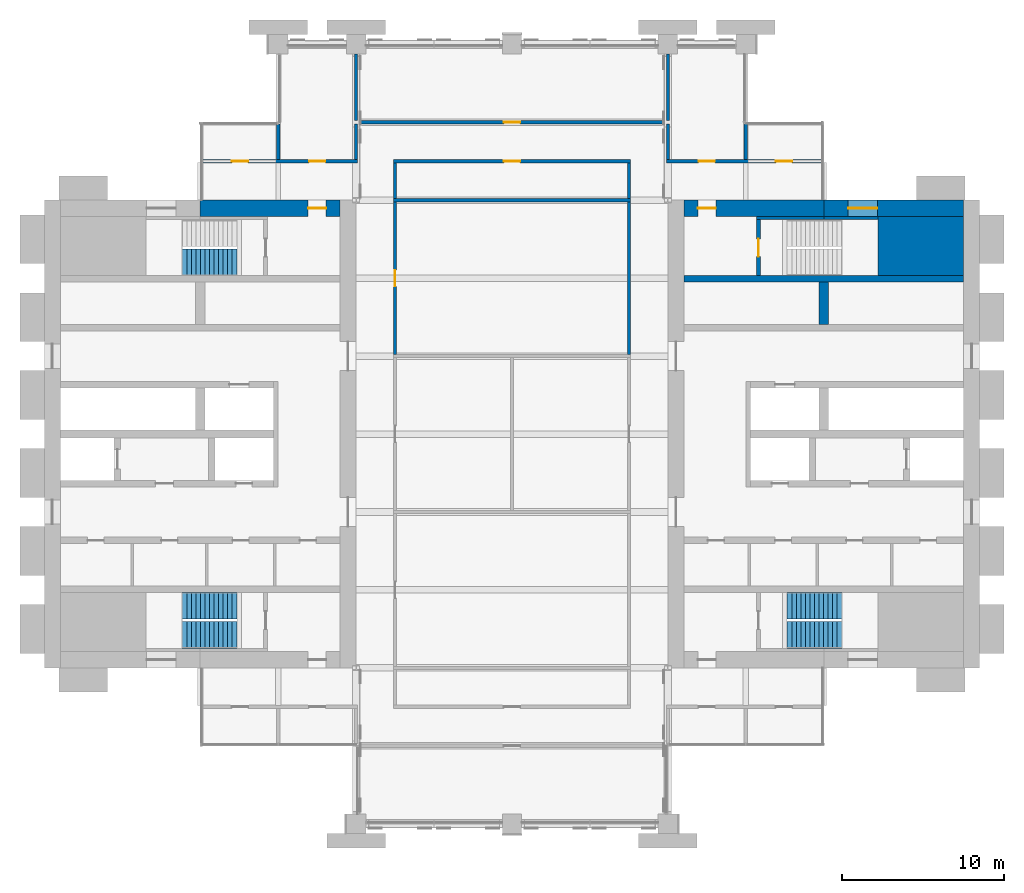
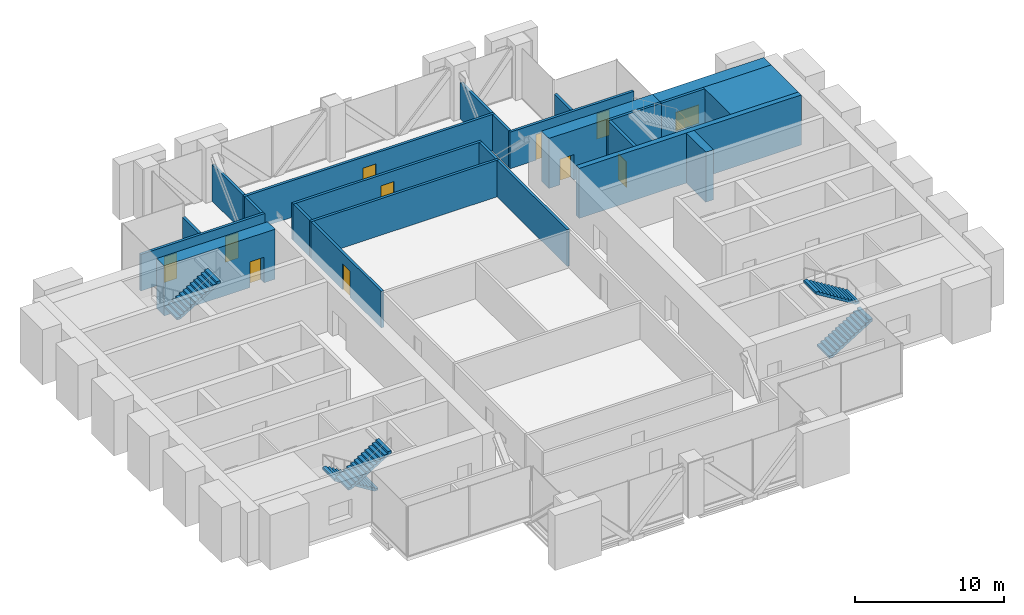
# One storey, part 12 of 14: 24 walls, 10 doors, 5 stair flights, 1 window, 11 openings, 3 elements without a shape of their own.
"""IFC4 building model written with IfcOpenShell, lengths in metres."""

from ifc_helpers import new_model, si_unit, direction, frame, frame_2d, origin, place, context, subcontext, project, spatial, polyline, rectangle, outline, extrude, material, layer, layer_set, type_object, element, fill, aggregate, save


model = new_model("IFC4")

# Units and contexts
model_context = context("Model", 3, precision=1e-05, world=origin(), true_north=direction((0.0, 1.0)))
body_context = subcontext(model_context, "Body", "Model", "MODEL_VIEW")
ifc_project = project(units=[si_unit("LENGTHUNIT", "METRE"), si_unit("AREAUNIT", "SQUARE_METRE"), si_unit("VOLUMEUNIT", "CUBIC_METRE"), si_unit("PLANEANGLEUNIT", "RADIAN"), si_unit("MASSUNIT", "GRAM", prefix="KILO")], contexts=[model_context])

# Site, building, storey
site_placement = place(None, origin())
site = spatial("IfcSite", under=ifc_project, at=site_placement, CompositionType="ELEMENT")
building_placement = place(site_placement, origin())
building = spatial("IfcBuilding", under=site, at=building_placement, Name="Baori Bourse Tower", CompositionType="ELEMENT")
storey_placement = place(building_placement, frame((0.0, 0.0, 176.10009765625)))
storey = spatial("IfcBuildingStorey", under=building, at=storey_placement, Name="L39", CompositionType="ELEMENT", Elevation=176.10009765625)

# Wall
ifc_material_1 = material(Name="Concrete f'c 60 MPa", Category="concrete")
wall_type_1 = type_object("IfcWallType", Name="Core corner block f'c 60", PredefinedType="SHEAR", material=ifc_material_1)
wall_1_placement = place(storey_placement, frame((51.35009765625, 35.574951171875, 0.0), z_axis=(0.0, 0.0, 1.0), x_axis=(1.0, 0.0, 0.0)))
element("IfcWall", 1, at=wall_1_placement, inside=storey, type_object=wall_type_1, Name="Core wall E24", PredefinedType="SHEAR", context=body_context, shape_type="SweptSolid", body=[
    extrude(rectangle(XDim=5.25, YDim=3.64990234375, at=frame_2d((2.625, 0.0))), origin(), (0.0, 0.0, 1.0), 4.099853515625),
])

# Wall, opening, door
ifc_material_2 = material(Name="Concrete f'c 60 MPa", Category="concrete")
ifc_layer_1 = layer(ifc_material_2, 1.0)
ifc_layer_set_1 = layer_set([ifc_layer_1], Name="Core wall 1000 f'c 60")
wall_type_2 = type_object("IfcWallType", Name="Core wall 1000 f'c 60", PredefinedType="SHEAR", material=ifc_layer_set_1)
wall_2_placement = place(storey_placement, frame((9.60009765625, 37.89990234375, 0.0), z_axis=(0.0, 0.0, 1.0), x_axis=(1.0, 0.0, 0.0)))
wall_2 = element("IfcWall", 2, at=wall_2_placement, inside=storey, type_object=wall_type_2, Name="Core wall W29", PredefinedType="SHEAR", context=body_context, shape_type="SweptSolid", body=[
    extrude(rectangle(XDim=8.599853515625, YDim=1.0, at=frame_2d((4.2998046875, 0.0))), origin(), (0.0, 0.0, 1.0), 4.099853515625),
])
opening_1_placement = place(wall_2_placement, frame((6.64990234375, 0.0, 0.0)))
opening_1 = element("IfcOpeningElement", 3, at=opening_1_placement, cuts=wall_2, Name="Opening L39-D104", PredefinedType="OPENING", context=body_context, shape_type="SweptSolid", body=[
    extrude(rectangle(XDim=1.10009765625, YDim=2.10009765625, at=frame_2d((0.550048828125, 1.050048828125))), frame((0.0, 0.510009765625, 0.0), z_axis=(0.0, -1.0, 0.0), x_axis=(1.0, 0.0, 0.0)), (0.0, 0.0, 1.0), 1.02001953125),
])
ifc_material_3 = material(Name="Painted steel door", Category="steel")
door_type_1 = type_object("IfcDoorType", Name="Stair door 1100", OperationType="SINGLE_SWING_LEFT", PredefinedType="DOOR", material=ifc_material_3)
door_1_placement = place(opening_1_placement, origin())
door_1 = element("IfcDoor", 4, at=door_1_placement, inside=storey, type_object=door_type_1, Name="Stair vestibule door B W L39", OperationType="SINGLE_SWING_LEFT", OverallHeight=2.10009765625, OverallWidth=1.10009765625, PredefinedType="DOOR", context=body_context, shape_type="SweptSolid", body=[
    extrude(rectangle(XDim=1.10009765625, YDim=2.10009765625, at=frame_2d((0.550048828125, 1.050048828125))), frame((0.0, 0.02490234375, 0.0), z_axis=(0.0, -1.0, 0.0), x_axis=(1.0, 0.0, 0.0)), (0.0, 0.0, 1.0), 0.050048828125),
])
fill(opening_1, door_1)

# Wall, opening, window
wall_3_placement = place(storey_placement, frame((48.0, 37.89990234375, 0.0), z_axis=(0.0, 0.0, 1.0), x_axis=(1.0, 0.0, 0.0)))
wall_3 = element("IfcWall", 5, at=wall_3_placement, inside=storey, type_object=wall_type_2, Name="Core wall E28", PredefinedType="SHEAR", context=body_context, shape_type="SweptSolid", body=[
    extrude(rectangle(XDim=8.60009765625, YDim=1.0, at=frame_2d((4.300048828125, 0.0))), origin(), (0.0, 0.0, 1.0), 4.099853515625),
])
opening_2_placement = place(wall_3_placement, frame((1.5, 0.0, 0.89990234375)))
opening_2 = element("IfcOpeningElement", 6, at=opening_2_placement, cuts=wall_3, Name="Opening L39-KW204", PredefinedType="OPENING", context=body_context, shape_type="SweptSolid", body=[
    extrude(rectangle(XDim=1.800048828125, YDim=1.5, at=frame_2d((0.89990234375, 0.75))), frame((0.0, 0.510009765625, 0.0), z_axis=(0.0, -1.0, 0.0), x_axis=(1.0, 0.0, 0.0)), (0.0, 0.0, 1.0), 1.02001953125),
])
ifc_material_4 = material(Name="Pale anodised aluminium", Category="aluminium")
window_type = type_object("IfcWindowType", Name="Stair window 1800 x 1500", PartitioningType="SINGLE_PANEL", PredefinedType="WINDOW", material=ifc_material_4)
window_placement = place(opening_2_placement, origin())
window = element("IfcWindow", 7, at=window_placement, inside=storey, type_object=window_type, Name="Stair window E L39 4", OverallHeight=1.5, OverallWidth=1.800048828125, PartitioningType="SINGLE_PANEL", PredefinedType="WINDOW", context=body_context, shape_type="SweptSolid", body=[
    extrude(rectangle(XDim=1.800048828125, YDim=1.5, at=frame_2d((0.89990234375, 0.75))), frame((0.0, 0.030029296875, 0.0), z_axis=(0.0, -1.0, 0.0), x_axis=(1.0, 0.0, 0.0)), (0.0, 0.0, 1.0), 0.06005859375),
])
fill(opening_2, window)

# Wall, opening, door
wall_4_placement = place(storey_placement, frame((39.39990234375, 37.89990234375, 0.0), z_axis=(0.0, 0.0, 1.0), x_axis=(1.0, 0.0, 0.0)))
wall_4 = element("IfcWall", 8, at=wall_4_placement, inside=storey, type_object=wall_type_2, Name="Core wall E29", PredefinedType="SHEAR", context=body_context, shape_type="SweptSolid", body=[
    extrude(rectangle(XDim=8.60009765625, YDim=1.0, at=frame_2d((4.300048828125, 0.0))), origin(), (0.0, 0.0, 1.0), 4.099853515625),
])
opening_3_placement = place(wall_4_placement, frame((0.85009765625, 0.0, 0.0)))
opening_3 = element("IfcOpeningElement", 9, at=opening_3_placement, cuts=wall_4, Name="Opening L39-D204", PredefinedType="OPENING", context=body_context, shape_type="SweptSolid", body=[
    extrude(rectangle(XDim=1.10009765625, YDim=2.10009765625, at=frame_2d((0.550048828125, 1.050048828125))), frame((0.0, 0.510009765625, 0.0), z_axis=(0.0, -1.0, 0.0), x_axis=(1.0, 0.0, 0.0)), (0.0, 0.0, 1.0), 1.02001953125),
])
door_2_placement = place(opening_3_placement, origin())
door_2 = element("IfcDoor", 10, at=door_2_placement, inside=storey, type_object=door_type_1, Name="Stair vestibule door B E L39", OperationType="SINGLE_SWING_LEFT", OverallHeight=2.10009765625, OverallWidth=1.10009765625, PredefinedType="DOOR", context=body_context, shape_type="SweptSolid", body=[
    extrude(rectangle(XDim=1.10009765625, YDim=2.10009765625, at=frame_2d((0.550048828125, 1.050048828125))), frame((0.0, 0.02490234375, 0.0), z_axis=(0.0, -1.0, 0.0), x_axis=(1.0, 0.0, 0.0)), (0.0, 0.0, 1.0), 0.050048828125),
])
fill(opening_3, door_2)

# Wall
ifc_material_5 = material(Name="Gypsum board partition")
ifc_layer_2 = layer(ifc_material_5, 0.199951171875)
ifc_layer_set_2 = layer_set([ifc_layer_2], Name="Plant room wall 200")
wall_type_3 = type_object("IfcWallType", Name="Plant room wall 200", PredefinedType="PARTITIONING", material=ifc_layer_set_2)
wall_5_placement = place(storey_placement, frame((21.5, 38.39990234375, 0.0), z_axis=(0.0, 0.0, 1.0), x_axis=(1.0, 0.0, 0.0)))
element("IfcWall", 11, at=wall_5_placement, inside=storey, type_object=wall_type_3, Name="Partition", PredefinedType="PARTITIONING", context=body_context, shape_type="SweptSolid", body=[
    extrude(rectangle(XDim=14.60009765625, YDim=0.199951171875, at=frame_2d((7.300048828125, 0.0))), origin(), (0.0, 0.0, 1.0), 2.992431640625),
])

# Wall, openings, doors
wall_6_placement = place(storey_placement, frame((9.699951171875, 40.800048828125, 0.0), z_axis=(0.0, 0.0, 1.0), x_axis=(1.0, 0.0, 0.0)))
wall_6 = element("IfcWall", 12, at=wall_6_placement, inside=storey, type_object=wall_type_3, Name="Partition", PredefinedType="PARTITIONING", context=body_context, shape_type="SweptSolid", body=[
    extrude(rectangle(XDim=9.60009765625, YDim=0.199951171875, at=frame_2d((4.800048828125, 0.0))), origin(), (0.0, 0.0, 1.0), 2.992431640625),
])
opening_4_placement = place(wall_6_placement, frame((1.85009765625, 0.0, 0.0)))
opening_4 = element("IfcOpeningElement", 13, at=opening_4_placement, cuts=wall_6, Name="Opening L39-D07", PredefinedType="OPENING", context=body_context, shape_type="SweptSolid", body=[
    extrude(rectangle(XDim=1.0, YDim=2.10009765625, at=frame_2d((0.5, 1.050048828125))), frame((0.0, 0.10986328125, 0.0), z_axis=(0.0, -1.0, 0.0), x_axis=(1.0, 0.0, 0.0)), (0.0, 0.0, 1.0), 0.219970703125),
])
opening_5_placement = place(wall_6_placement, frame((6.60009765625, 0.0, 0.0)))
opening_5 = element("IfcOpeningElement", 14, at=opening_5_placement, cuts=wall_6, Name="Opening L39-D08", PredefinedType="OPENING", context=body_context, shape_type="SweptSolid", body=[
    extrude(rectangle(XDim=1.0, YDim=2.10009765625, at=frame_2d((0.5, 1.050048828125))), frame((0.0, 0.10986328125, 0.0), z_axis=(0.0, -1.0, 0.0), x_axis=(1.0, 0.0, 0.0)), (0.0, 0.0, 1.0), 0.219970703125),
])
ifc_material_6 = material(Name="Timber door leaf", Category="wood")
door_type_2 = type_object("IfcDoorType", Name="Door 1000 x 2100", OperationType="SINGLE_SWING_LEFT", PredefinedType="DOOR", material=ifc_material_6)
door_3_placement = place(opening_4_placement, origin())
door_3 = element("IfcDoor", 15, at=door_3_placement, inside=storey, type_object=door_type_2, Name="Door", OperationType="SINGLE_SWING_RIGHT", OverallHeight=2.10009765625, OverallWidth=1.0, PredefinedType="DOOR", context=body_context, shape_type="SweptSolid", body=[
    extrude(rectangle(XDim=1.0, YDim=2.10009765625, at=frame_2d((0.5, 1.050048828125))), frame((0.0, 0.02490234375, 0.0), z_axis=(0.0, -1.0, 0.0), x_axis=(1.0, 0.0, 0.0)), (0.0, 0.0, 1.0), 0.050048828125),
])
fill(opening_4, door_3)
door_4_placement = place(opening_5_placement, origin())
door_4 = element("IfcDoor", 16, at=door_4_placement, inside=storey, type_object=door_type_2, Name="Door", OperationType="SINGLE_SWING_LEFT", OverallHeight=2.10009765625, OverallWidth=1.0, PredefinedType="DOOR", context=body_context, shape_type="SweptSolid", body=[
    extrude(rectangle(XDim=1.0, YDim=2.10009765625, at=frame_2d((0.5, 1.050048828125))), frame((0.0, 0.02490234375, 0.0), z_axis=(0.0, -1.0, 0.0), x_axis=(1.0, 0.0, 0.0)), (0.0, 0.0, 1.0), 0.050048828125),
])
fill(opening_5, door_4)

# Wall, opening, door
wall_7_placement = place(storey_placement, frame((21.5, 40.800048828125, 0.0), z_axis=(0.0, 0.0, 1.0), x_axis=(1.0, 0.0, 0.0)))
wall_7 = element("IfcWall", 17, at=wall_7_placement, inside=storey, type_object=wall_type_3, Name="Partition", PredefinedType="PARTITIONING", context=body_context, shape_type="SweptSolid", body=[
    extrude(rectangle(XDim=14.60009765625, YDim=0.199951171875, at=frame_2d((7.300048828125, 0.0))), origin(), (0.0, 0.0, 1.0), 2.992431640625),
])
opening_6_placement = place(wall_7_placement, frame((6.800048828125, 0.0, 0.0)))
opening_6 = element("IfcOpeningElement", 18, at=opening_6_placement, cuts=wall_7, Name="Opening L39-D09", PredefinedType="OPENING", context=body_context, shape_type="SweptSolid", body=[
    extrude(rectangle(XDim=1.0, YDim=2.10009765625, at=frame_2d((0.5, 1.050048828125))), frame((0.0, 0.10986328125, 0.0), z_axis=(0.0, -1.0, 0.0), x_axis=(1.0, 0.0, 0.0)), (0.0, 0.0, 1.0), 0.219970703125),
])
door_5_placement = place(opening_6_placement, origin())
door_5 = element("IfcDoor", 19, at=door_5_placement, inside=storey, type_object=door_type_2, Name="Door", OperationType="SINGLE_SWING_LEFT", OverallHeight=2.10009765625, OverallWidth=1.0, PredefinedType="DOOR", context=body_context, shape_type="SweptSolid", body=[
    extrude(rectangle(XDim=1.0, YDim=2.10009765625, at=frame_2d((0.5, 1.050048828125))), frame((0.0, 0.02490234375, 0.0), z_axis=(0.0, -1.0, 0.0), x_axis=(1.0, 0.0, 0.0)), (0.0, 0.0, 1.0), 0.050048828125),
])
fill(opening_6, door_5)

# Wall, openings, doors
wall_8_placement = place(storey_placement, frame((38.300048828125, 40.800048828125, 0.0), z_axis=(0.0, 0.0, 1.0), x_axis=(1.0, 0.0, 0.0)))
wall_8 = element("IfcWall", 20, at=wall_8_placement, inside=storey, type_object=wall_type_3, Name="Partition", PredefinedType="PARTITIONING", context=body_context, shape_type="SweptSolid", body=[
    extrude(rectangle(XDim=9.599853515625, YDim=0.199951171875, at=frame_2d((4.7998046875, 0.0))), origin(), (0.0, 0.0, 1.0), 2.992431640625),
])
opening_7_placement = place(wall_8_placement, frame((2.0, 0.0, 0.0)))
opening_7 = element("IfcOpeningElement", 21, at=opening_7_placement, cuts=wall_8, Name="Opening L39-D10", PredefinedType="OPENING", context=body_context, shape_type="SweptSolid", body=[
    extrude(rectangle(XDim=1.0, YDim=2.10009765625, at=frame_2d((0.5, 1.050048828125))), frame((0.0, 0.10986328125, 0.0), z_axis=(0.0, -1.0, 0.0), x_axis=(1.0, 0.0, 0.0)), (0.0, 0.0, 1.0), 0.219970703125),
])
opening_8_placement = place(wall_8_placement, frame((6.75, 0.0, 0.0)))
opening_8 = element("IfcOpeningElement", 22, at=opening_8_placement, cuts=wall_8, Name="Opening L39-D11", PredefinedType="OPENING", context=body_context, shape_type="SweptSolid", body=[
    extrude(rectangle(XDim=1.0, YDim=2.10009765625, at=frame_2d((0.5, 1.050048828125))), frame((0.0, 0.10986328125, 0.0), z_axis=(0.0, -1.0, 0.0), x_axis=(1.0, 0.0, 0.0)), (0.0, 0.0, 1.0), 0.219970703125),
])
door_6_placement = place(opening_7_placement, origin())
door_6 = element("IfcDoor", 23, at=door_6_placement, inside=storey, type_object=door_type_2, Name="Door", OperationType="SINGLE_SWING_RIGHT", OverallHeight=2.10009765625, OverallWidth=1.0, PredefinedType="DOOR", context=body_context, shape_type="SweptSolid", body=[
    extrude(rectangle(XDim=1.0, YDim=2.10009765625, at=frame_2d((0.5, 1.050048828125))), frame((0.0, 0.02490234375, 0.0), z_axis=(0.0, -1.0, 0.0), x_axis=(1.0, 0.0, 0.0)), (0.0, 0.0, 1.0), 0.050048828125),
])
fill(opening_7, door_6)
door_7_placement = place(opening_8_placement, origin())
door_7 = element("IfcDoor", 24, at=door_7_placement, inside=storey, type_object=door_type_2, Name="Door", OperationType="SINGLE_SWING_LEFT", OverallHeight=2.10009765625, OverallWidth=1.0, PredefinedType="DOOR", context=body_context, shape_type="SweptSolid", body=[
    extrude(rectangle(XDim=1.0, YDim=2.10009765625, at=frame_2d((0.5, 1.050048828125))), frame((0.0, 0.02490234375, 0.0), z_axis=(0.0, -1.0, 0.0), x_axis=(1.0, 0.0, 0.0)), (0.0, 0.0, 1.0), 0.050048828125),
])
fill(opening_8, door_7)

# Wall, opening, door
wall_9_placement = place(storey_placement, frame((19.10009765625, 43.199951171875, 0.0), z_axis=(0.0, 0.0, 1.0), x_axis=(1.0, 0.0, 0.0)))
wall_9 = element("IfcWall", 25, at=wall_9_placement, inside=storey, type_object=wall_type_3, Name="Partition", PredefinedType="PARTITIONING", context=body_context, shape_type="SweptSolid", body=[
    extrude(rectangle(XDim=19.39990234375, YDim=0.199951171875, at=frame_2d((9.699951171875, 0.0))), origin(), (0.0, 0.0, 1.0), 2.992431640625),
])
opening_9_placement = place(wall_9_placement, frame((9.199951171875, 0.0, 0.0)))
opening_9 = element("IfcOpeningElement", 26, at=opening_9_placement, cuts=wall_9, Name="Opening L39-D12", PredefinedType="OPENING", context=body_context, shape_type="SweptSolid", body=[
    extrude(rectangle(XDim=1.0, YDim=2.10009765625, at=frame_2d((0.5, 1.050048828125))), frame((0.0, 0.10986328125, 0.0), z_axis=(0.0, -1.0, 0.0), x_axis=(1.0, 0.0, 0.0)), (0.0, 0.0, 1.0), 0.219970703125),
])
door_8_placement = place(opening_9_placement, origin())
door_8 = element("IfcDoor", 27, at=door_8_placement, inside=storey, type_object=door_type_2, Name="Door", OperationType="SINGLE_SWING_RIGHT", OverallHeight=2.10009765625, OverallWidth=1.0, PredefinedType="DOOR", context=body_context, shape_type="SweptSolid", body=[
    extrude(rectangle(XDim=1.0, YDim=2.10009765625, at=frame_2d((0.5, 1.050048828125))), frame((0.0, 0.02490234375, 0.0), z_axis=(0.0, -1.0, 0.0), x_axis=(1.0, 0.0, 0.0)), (0.0, 0.0, 1.0), 0.050048828125),
])
fill(opening_9, door_8)

# Walls
for number, where, z_axis, x_axis, name in (
    (28, (14.39990234375, 40.89990234375, 0.0), (0.0, 0.0, 1.0), (0.0, 1.0, 0.0), "Partition"),
    (29, (19.199951171875, 40.89990234375, 0.0), (0.0, 0.0, 1.0), (0.0, 1.0, 0.0), "Partition"),
):
    element("IfcWall", number, at=place(storey_placement, frame(where, z_axis=z_axis, x_axis=x_axis)), inside=storey, type_object=wall_type_3, Name=name, PredefinedType="PARTITIONING", context=body_context, shape_type="SweptSolid", body=[
        extrude(rectangle(XDim=2.2001953125, YDim=0.199951171875, at=frame_2d((1.10009765625, 0.0))), origin(), (0.0, 0.0, 1.0), 2.992431640625),
    ])
wall_10_placement = place(storey_placement, frame((19.199951171875, 43.300048828125, 0.0), z_axis=(0.0, 0.0, 1.0), x_axis=(0.0, 1.0, 0.0)))
element("IfcWall", 30, at=wall_10_placement, inside=storey, type_object=wall_type_3, Name="Partition", PredefinedType="PARTITIONING", context=body_context, shape_type="SweptSolid", body=[
    extrude(rectangle(XDim=4.099853515625, YDim=0.199951171875, at=frame_2d((2.0498046875, 0.0))), origin(), (0.0, 0.0, 1.0), 2.992431640625),
])

# Wall, opening, door
wall_11_placement = place(storey_placement, frame((21.60009765625, 28.89990234375, 0.0), z_axis=(0.0, 0.0, 1.0), x_axis=(0.0, 1.0, 0.0)))
wall_11 = element("IfcWall", 31, at=wall_11_placement, inside=storey, type_object=wall_type_3, Name="Partition", PredefinedType="PARTITIONING", context=body_context, shape_type="SweptSolid", body=[
    extrude(rectangle(XDim=9.400146484375, YDim=0.199951171875, at=frame_2d((4.7001953125, 0.0))), origin(), (0.0, 0.0, 1.0), 2.992431640625),
])
opening_10_placement = place(wall_11_placement, frame((4.199951171875, 0.0, 0.0)))
opening_10 = element("IfcOpeningElement", 32, at=opening_10_placement, cuts=wall_11, Name="Opening L39-D15", PredefinedType="OPENING", context=body_context, shape_type="SweptSolid", body=[
    extrude(rectangle(XDim=1.0, YDim=2.10009765625, at=frame_2d((0.5, 1.050048828125))), frame((0.0, 0.10986328125, 0.0), z_axis=(0.0, -1.0, 0.0), x_axis=(1.0, 0.0, 0.0)), (0.0, 0.0, 1.0), 0.219970703125),
])
door_9_placement = place(opening_10_placement, origin())
door_9 = element("IfcDoor", 33, at=door_9_placement, inside=storey, type_object=door_type_2, Name="Door", OperationType="SINGLE_SWING_RIGHT", OverallHeight=2.10009765625, OverallWidth=1.0, PredefinedType="DOOR", context=body_context, shape_type="SweptSolid", body=[
    extrude(rectangle(XDim=1.0, YDim=2.10009765625, at=frame_2d((0.5, 1.050048828125))), frame((0.0, 0.02490234375, 0.0), z_axis=(0.0, -1.0, 0.0), x_axis=(1.0, 0.0, 0.0)), (0.0, 0.0, 1.0), 0.050048828125),
])
fill(opening_10, door_9)

# Walls
wall_12_placement = place(storey_placement, frame((21.60009765625, 38.5, 0.0), z_axis=(0.0, 0.0, 1.0), x_axis=(0.0, 1.0, 0.0)))
element("IfcWall", 34, at=wall_12_placement, inside=storey, type_object=wall_type_3, Name="Partition", PredefinedType="PARTITIONING", context=body_context, shape_type="SweptSolid", body=[
    extrude(rectangle(XDim=2.199951171875, YDim=0.199951171875, at=frame_2d((1.10009765625, 0.0))), origin(), (0.0, 0.0, 1.0), 2.992431640625),
])
wall_13_placement = place(storey_placement, frame((36.0, 28.89990234375, 0.0), z_axis=(0.0, 0.0, 1.0), x_axis=(0.0, 1.0, 0.0)))
element("IfcWall", 35, at=wall_13_placement, inside=storey, type_object=wall_type_3, Name="Partition", PredefinedType="PARTITIONING", context=body_context, shape_type="SweptSolid", body=[
    extrude(rectangle(XDim=9.400146484375, YDim=0.199951171875, at=frame_2d((4.7001953125, 0.0))), origin(), (0.0, 0.0, 1.0), 2.992431640625),
])
wall_14_placement = place(storey_placement, frame((36.0, 38.5, 0.0), z_axis=(0.0, 0.0, 1.0), x_axis=(0.0, 1.0, 0.0)))
element("IfcWall", 36, at=wall_14_placement, inside=storey, type_object=wall_type_3, Name="Partition", PredefinedType="PARTITIONING", context=body_context, shape_type="SweptSolid", body=[
    extrude(rectangle(XDim=2.199951171875, YDim=0.199951171875, at=frame_2d((1.10009765625, 0.0))), origin(), (0.0, 0.0, 1.0), 2.992431640625),
])
wall_15_placement = place(storey_placement, frame((38.39990234375, 40.89990234375, 0.0), z_axis=(0.0, 0.0, 1.0), x_axis=(0.0, 1.0, 0.0)))
element("IfcWall", 37, at=wall_15_placement, inside=storey, type_object=wall_type_3, Name="Partition", PredefinedType="PARTITIONING", context=body_context, shape_type="SweptSolid", body=[
    extrude(rectangle(XDim=2.2001953125, YDim=0.199951171875, at=frame_2d((1.10009765625, 0.0))), origin(), (0.0, 0.0, 1.0), 2.992431640625),
])
wall_16_placement = place(storey_placement, frame((38.39990234375, 43.300048828125, 0.0), z_axis=(0.0, 0.0, 1.0), x_axis=(0.0, 1.0, 0.0)))
element("IfcWall", 38, at=wall_16_placement, inside=storey, type_object=wall_type_3, Name="Partition", PredefinedType="PARTITIONING", context=body_context, shape_type="SweptSolid", body=[
    extrude(rectangle(XDim=4.099853515625, YDim=0.199951171875, at=frame_2d((2.0498046875, 0.0))), origin(), (0.0, 0.0, 1.0), 2.992431640625),
])
wall_17_placement = place(storey_placement, frame((43.199951171875, 40.89990234375, 0.0), z_axis=(0.0, 0.0, 1.0), x_axis=(0.0, 1.0, 0.0)))
element("IfcWall", 39, at=wall_17_placement, inside=storey, type_object=wall_type_3, Name="Partition", PredefinedType="PARTITIONING", context=body_context, shape_type="SweptSolid", body=[
    extrude(rectangle(XDim=2.2001953125, YDim=0.199951171875, at=frame_2d((1.10009765625, 0.0))), origin(), (0.0, 0.0, 1.0), 2.992431640625),
])
ifc_material_7 = material(Name="Concrete f'c 60 MPa", Category="concrete")
ifc_layer_3 = layer(ifc_material_7, 0.199951171875)
ifc_layer_set_3 = layer_set([ifc_layer_3], Name="Shaft wall 200 f'c 60")
wall_type_4 = type_object("IfcWallType", Name="Shaft wall 200 f'c 60", PredefinedType="SHEAR", material=ifc_layer_set_3)
wall_18_placement = place(storey_placement, frame((48.0, 37.300048828125, 0.0), z_axis=(0.0, 0.0, 1.0), x_axis=(1.0, 0.0, 0.0)))
element("IfcWall", 40, at=wall_18_placement, inside=storey, type_object=wall_type_4, Name="Core wall E26", PredefinedType="SHEAR", context=body_context, shape_type="SweptSolid", body=[
    extrude(rectangle(XDim=3.35009765625, YDim=0.199951171875, at=frame_2d((1.675048828125, 0.0))), origin(), (0.0, 0.0, 1.0), 4.099853515625),
])
wall_19_placement = place(storey_placement, frame((43.85009765625, 37.300048828125, 0.0), z_axis=(0.0, 0.0, 1.0), x_axis=(1.0, 0.0, 0.0)))
element("IfcWall", 41, at=wall_19_placement, inside=storey, type_object=wall_type_4, Name="Core wall E27", PredefinedType="SHEAR", context=body_context, shape_type="SweptSolid", body=[
    extrude(rectangle(XDim=4.14990234375, YDim=0.199951171875, at=frame_2d((2.074951171875, 0.0))), origin(), (0.0, 0.0, 1.0), 4.099853515625),
])

# Wall, opening, door
ifc_material_8 = material(Name="Concrete f'c 60 MPa", Category="concrete")
ifc_layer_4 = layer(ifc_material_8, 0.25)
ifc_layer_set_4 = layer_set([ifc_layer_4], Name="Shaft wall 250 f'c 60")
wall_type_5 = type_object("IfcWallType", Name="Shaft wall 250 f'c 60", PredefinedType="SHEAR", material=ifc_layer_set_4)
wall_20_placement = place(storey_placement, frame((43.97509765625, 33.75, 0.0), z_axis=(0.0, 0.0, 1.0), x_axis=(0.0, 1.0, 0.0)))
wall_20 = element("IfcWall", 42, at=wall_20_placement, inside=storey, type_object=wall_type_5, Name="Core wall E25", PredefinedType="SHEAR", context=body_context, shape_type="SweptSolid", body=[
    extrude(rectangle(XDim=3.449951171875, YDim=0.25, at=frame_2d((1.72509765625, 0.0))), origin(), (0.0, 0.0, 1.0), 4.099853515625),
])
opening_11_placement = place(wall_20_placement, frame((1.175048828125, 0.0, 0.0)))
opening_11 = element("IfcOpeningElement", 43, at=opening_11_placement, cuts=wall_20, Name="Opening L39-D203", PredefinedType="OPENING", context=body_context, shape_type="SweptSolid", body=[
    extrude(rectangle(XDim=1.10009765625, YDim=2.10009765625, at=frame_2d((0.550048828125, 1.050048828125))), frame((0.0, 0.135009765625, 0.0), z_axis=(0.0, -1.0, 0.0), x_axis=(1.0, 0.0, 0.0)), (0.0, 0.0, 1.0), 0.27001953125),
])
door_10_placement = place(opening_11_placement, origin())
door_10 = element("IfcDoor", 44, at=door_10_placement, inside=storey, type_object=door_type_1, Name="Stair door B E L39", OperationType="SINGLE_SWING_LEFT", OverallHeight=2.10009765625, OverallWidth=1.10009765625, PredefinedType="DOOR", context=body_context, shape_type="SweptSolid", body=[
    extrude(rectangle(XDim=1.10009765625, YDim=2.10009765625, at=frame_2d((0.550048828125, 1.050048828125))), frame((0.0, 0.02490234375, 0.0), z_axis=(0.0, -1.0, 0.0), x_axis=(1.0, 0.0, 0.0)), (0.0, 0.0, 1.0), 0.050048828125),
])
fill(opening_11, door_10)

# Walls
ifc_material_9 = material(Name="Concrete f'c 60 MPa", Category="concrete")
ifc_layer_5 = layer(ifc_material_9, 0.39990234375)
ifc_layer_set_5 = layer_set([ifc_layer_5], Name="Shaft wall 400 f'c 60")
wall_type_6 = type_object("IfcWallType", Name="Shaft wall 400 f'c 60", PredefinedType="SHEAR", material=ifc_layer_set_5)
wall_21_placement = place(storey_placement, frame((39.39990234375, 33.550048828125, 0.0), z_axis=(0.0, 0.0, 1.0), x_axis=(1.0, 0.0, 0.0)))
element("IfcWall", 45, at=wall_21_placement, inside=storey, type_object=wall_type_6, Name="Core wall E23", PredefinedType="SHEAR", context=body_context, shape_type="SweptSolid", body=[
    extrude(rectangle(XDim=17.2001953125, YDim=0.39990234375, at=frame_2d((8.60009765625, 0.0))), origin(), (0.0, 0.0, 1.0), 4.099853515625),
])
ifc_material_10 = material(Name="Concrete f'c 60 MPa", Category="concrete")
ifc_layer_6 = layer(ifc_material_10, 0.60009765625)
ifc_layer_set_6 = layer_set([ifc_layer_6], Name="Shaft wall 600 f'c 60")
wall_type_7 = type_object("IfcWallType", Name="Shaft wall 600 f'c 60", PredefinedType="SHEAR", material=ifc_layer_set_6)
wall_22_placement = place(storey_placement, frame((48.0, 30.75, 0.0), z_axis=(0.0, 0.0, 1.0), x_axis=(0.0, 1.0, 0.0)))
element("IfcWall", 46, at=wall_22_placement, inside=storey, type_object=wall_type_7, Name="Core wall E22", PredefinedType="SHEAR", context=body_context, shape_type="SweptSolid", body=[
    extrude(rectangle(XDim=2.60009765625, YDim=0.60009765625, at=frame_2d((1.300048828125, 0.0))), origin(), (0.0, 0.0, 1.0), 4.099853515625),
])

# Stair, stair flights
ifc_material_11 = material(Name="Concrete f'c 50 MPa", Category="concrete")
stair_type = type_object("IfcStairType", Name="Core stair", PredefinedType="HALF_TURN_STAIR", material=ifc_material_11)
stair_1_placement = place(storey_placement, origin())
stair_1 = element("IfcStair", 47, at=stair_1_placement, inside=storey, type_object=stair_type, Name="L39 Stair WA", PredefinedType="HALF_TURN_STAIR")
ifc_material_12 = material(Name="Concrete f'c 50 MPa", Category="concrete")
stair_flight_type = type_object("IfcStairFlightType", Name="Core stair flight", PredefinedType="STRAIGHT", material=ifc_material_12)
stair_flight_1_placement = place(storey_placement, frame((11.85009765625, 13.425048828125, 0.0), z_axis=(0.0, 0.0, 1.0), x_axis=(-1.0, 0.0, 0.0)))
stair_flight_1 = element("IfcStairFlight", 48, at=stair_flight_1_placement, type_object=stair_flight_type, Name="ST1 flight 1", NumberOfRisers=13, NumberOfTreads=12, PredefinedType="STRAIGHT", RiserHeight=0.173076923, TreadLength=0.28, context=body_context, shape_type="SweptSolid", body=[
    extrude(outline(polyline([(0.0, 0.0), (0.0, 0.173095703125), (0.280029296875, 0.173095703125), (0.280029296875, 0.34619140625), (0.56005859375, 0.34619140625), (0.56005859375, 0.519287109375), (0.840087890625, 0.519287109375), (0.840087890625, 0.6923828125), (1.1201171875, 0.6923828125), (1.1201171875, 0.865478515625), (1.39990234375, 0.865478515625), (1.39990234375, 1.03857421875), (1.679931640625, 1.03857421875), (1.679931640625, 1.21142578125), (1.9599609375, 1.21142578125), (1.9599609375, 1.384521484375), (2.239990234375, 1.384521484375), (2.239990234375, 1.5576171875), (2.52001953125, 1.5576171875), (2.52001953125, 1.730712890625), (2.800048828125, 1.730712890625), (2.800048828125, 1.90380859375), (3.080078125, 1.90380859375), (3.080078125, 2.076904296875), (3.360107421875, 2.076904296875), (3.360107421875, 2.25), (3.360107421875, 1.900634765625), (0.28515625, 0.0), (0.0, 0.0)])), frame((0.0, 0.824951171875, 0.0), z_axis=(0.0, -1.0, 0.0), x_axis=(1.0, 0.0, 0.0)), (0.0, 0.0, 1.0), 1.64990234375),
])
stair_flight_2_placement = place(storey_placement, frame((8.489990234375, 11.625, 2.25), z_axis=(0.0, 0.0, 1.0), x_axis=(1.0, 0.0, 0.0)))
stair_flight_2 = element("IfcStairFlight", 49, at=stair_flight_2_placement, type_object=stair_flight_type, Name="ST1 flight 2", NumberOfRisers=13, NumberOfTreads=12, PredefinedType="STRAIGHT", RiserHeight=0.173076923, TreadLength=0.28, context=body_context, shape_type="SweptSolid", body=[
    extrude(outline(polyline([(0.0, 0.0), (0.0, 0.173095703125), (0.280029296875, 0.173095703125), (0.280029296875, 0.34619140625), (0.56005859375, 0.34619140625), (0.56005859375, 0.519287109375), (0.840087890625, 0.519287109375), (0.840087890625, 0.6923828125), (1.1201171875, 0.6923828125), (1.1201171875, 0.865478515625), (1.39990234375, 0.865478515625), (1.39990234375, 1.03857421875), (1.679931640625, 1.03857421875), (1.679931640625, 1.21142578125), (1.9599609375, 1.21142578125), (1.9599609375, 1.384521484375), (2.239990234375, 1.384521484375), (2.239990234375, 1.5576171875), (2.52001953125, 1.5576171875), (2.52001953125, 1.730712890625), (2.800048828125, 1.730712890625), (2.800048828125, 1.90380859375), (3.080078125, 1.90380859375), (3.080078125, 2.076904296875), (3.360107421875, 2.076904296875), (3.360107421875, 2.25), (3.360107421875, 1.900634765625), (0.28515625, 0.0), (0.0, 0.0)])), frame((0.0, 0.824951171875, 0.0), z_axis=(0.0, -1.0, 0.0), x_axis=(1.0, 0.0, 0.0)), (0.0, 0.0, 1.0), 1.64990234375),
])
aggregate(stair_1, [stair_flight_1, stair_flight_2])

# Stair, stair flight
stair_2_placement = place(storey_placement, origin())
stair_2 = element("IfcStair", 50, at=stair_2_placement, inside=storey, type_object=stair_type, Name="L39 Stair WB", PredefinedType="HALF_TURN_STAIR")
stair_flight_3_placement = place(storey_placement, frame((8.489990234375, 34.574951171875, 2.25), z_axis=(0.0, 0.0, 1.0), x_axis=(1.0, 0.0, 0.0)))
stair_flight_3 = element("IfcStairFlight", 51, at=stair_flight_3_placement, type_object=stair_flight_type, Name="ST2 flight 2", NumberOfRisers=13, NumberOfTreads=12, PredefinedType="STRAIGHT", RiserHeight=0.173076923, TreadLength=0.28, context=body_context, shape_type="SweptSolid", body=[
    extrude(outline(polyline([(0.0, 0.0), (0.0, 0.173095703125), (0.280029296875, 0.173095703125), (0.280029296875, 0.34619140625), (0.56005859375, 0.34619140625), (0.56005859375, 0.519287109375), (0.840087890625, 0.519287109375), (0.840087890625, 0.6923828125), (1.1201171875, 0.6923828125), (1.1201171875, 0.865478515625), (1.39990234375, 0.865478515625), (1.39990234375, 1.03857421875), (1.679931640625, 1.03857421875), (1.679931640625, 1.21142578125), (1.9599609375, 1.21142578125), (1.9599609375, 1.384521484375), (2.239990234375, 1.384521484375), (2.239990234375, 1.5576171875), (2.52001953125, 1.5576171875), (2.52001953125, 1.730712890625), (2.800048828125, 1.730712890625), (2.800048828125, 1.90380859375), (3.080078125, 1.90380859375), (3.080078125, 2.076904296875), (3.360107421875, 2.076904296875), (3.360107421875, 2.25), (3.360107421875, 1.900634765625), (0.28515625, 0.0), (0.0, 0.0)])), frame((0.0, 0.824951171875, 0.0), z_axis=(0.0, -1.0, 0.0), x_axis=(1.0, 0.0, 0.0)), (0.0, 0.0, 1.0), 1.64990234375),
])
aggregate(stair_2, [stair_flight_3])

# Stair, stair flights
stair_3_placement = place(storey_placement, origin())
stair_3 = element("IfcStair", 52, at=stair_3_placement, inside=storey, type_object=stair_type, Name="L39 Stair EA", PredefinedType="HALF_TURN_STAIR")
stair_flight_4_placement = place(storey_placement, frame((45.75, 11.625, 0.0), z_axis=(0.0, 0.0, 1.0), x_axis=(1.0, 0.0, 0.0)))
stair_flight_4 = element("IfcStairFlight", 53, at=stair_flight_4_placement, type_object=stair_flight_type, Name="ST3 flight 1", NumberOfRisers=13, NumberOfTreads=12, PredefinedType="STRAIGHT", RiserHeight=0.173076923, TreadLength=0.28, context=body_context, shape_type="SweptSolid", body=[
    extrude(outline(polyline([(0.0, 0.0), (0.0, 0.173095703125), (0.280029296875, 0.173095703125), (0.280029296875, 0.34619140625), (0.56005859375, 0.34619140625), (0.56005859375, 0.519287109375), (0.840087890625, 0.519287109375), (0.840087890625, 0.6923828125), (1.1201171875, 0.6923828125), (1.1201171875, 0.865478515625), (1.39990234375, 0.865478515625), (1.39990234375, 1.03857421875), (1.679931640625, 1.03857421875), (1.679931640625, 1.21142578125), (1.9599609375, 1.21142578125), (1.9599609375, 1.384521484375), (2.239990234375, 1.384521484375), (2.239990234375, 1.5576171875), (2.52001953125, 1.5576171875), (2.52001953125, 1.730712890625), (2.800048828125, 1.730712890625), (2.800048828125, 1.90380859375), (3.080078125, 1.90380859375), (3.080078125, 2.076904296875), (3.360107421875, 2.076904296875), (3.360107421875, 2.25), (3.360107421875, 1.900634765625), (0.28515625, 0.0), (0.0, 0.0)])), frame((0.0, 0.824951171875, 0.0), z_axis=(0.0, -1.0, 0.0), x_axis=(1.0, 0.0, 0.0)), (0.0, 0.0, 1.0), 1.64990234375),
])
stair_flight_5_placement = place(storey_placement, frame((49.110107421875, 13.425048828125, 2.25), z_axis=(0.0, 0.0, 1.0), x_axis=(-1.0, 0.0, 0.0)))
stair_flight_5 = element("IfcStairFlight", 54, at=stair_flight_5_placement, type_object=stair_flight_type, Name="ST3 flight 2", NumberOfRisers=13, NumberOfTreads=12, PredefinedType="STRAIGHT", RiserHeight=0.173076923, TreadLength=0.28, context=body_context, shape_type="SweptSolid", body=[
    extrude(outline(polyline([(0.0, 0.0), (0.0, 0.173095703125), (0.280029296875, 0.173095703125), (0.280029296875, 0.34619140625), (0.56005859375, 0.34619140625), (0.56005859375, 0.519287109375), (0.840087890625, 0.519287109375), (0.840087890625, 0.6923828125), (1.1201171875, 0.6923828125), (1.1201171875, 0.865478515625), (1.39990234375, 0.865478515625), (1.39990234375, 1.03857421875), (1.679931640625, 1.03857421875), (1.679931640625, 1.21142578125), (1.9599609375, 1.21142578125), (1.9599609375, 1.384521484375), (2.239990234375, 1.384521484375), (2.239990234375, 1.5576171875), (2.52001953125, 1.5576171875), (2.52001953125, 1.730712890625), (2.800048828125, 1.730712890625), (2.800048828125, 1.90380859375), (3.080078125, 1.90380859375), (3.080078125, 2.076904296875), (3.360107421875, 2.076904296875), (3.360107421875, 2.25), (3.360107421875, 1.900634765625), (0.28515625, 0.0), (0.0, 0.0)])), frame((0.0, 0.824951171875, 0.0), z_axis=(0.0, -1.0, 0.0), x_axis=(1.0, 0.0, 0.0)), (0.0, 0.0, 1.0), 1.64990234375),
])
aggregate(stair_3, [stair_flight_4, stair_flight_5])

save(model, "model.ifc")
